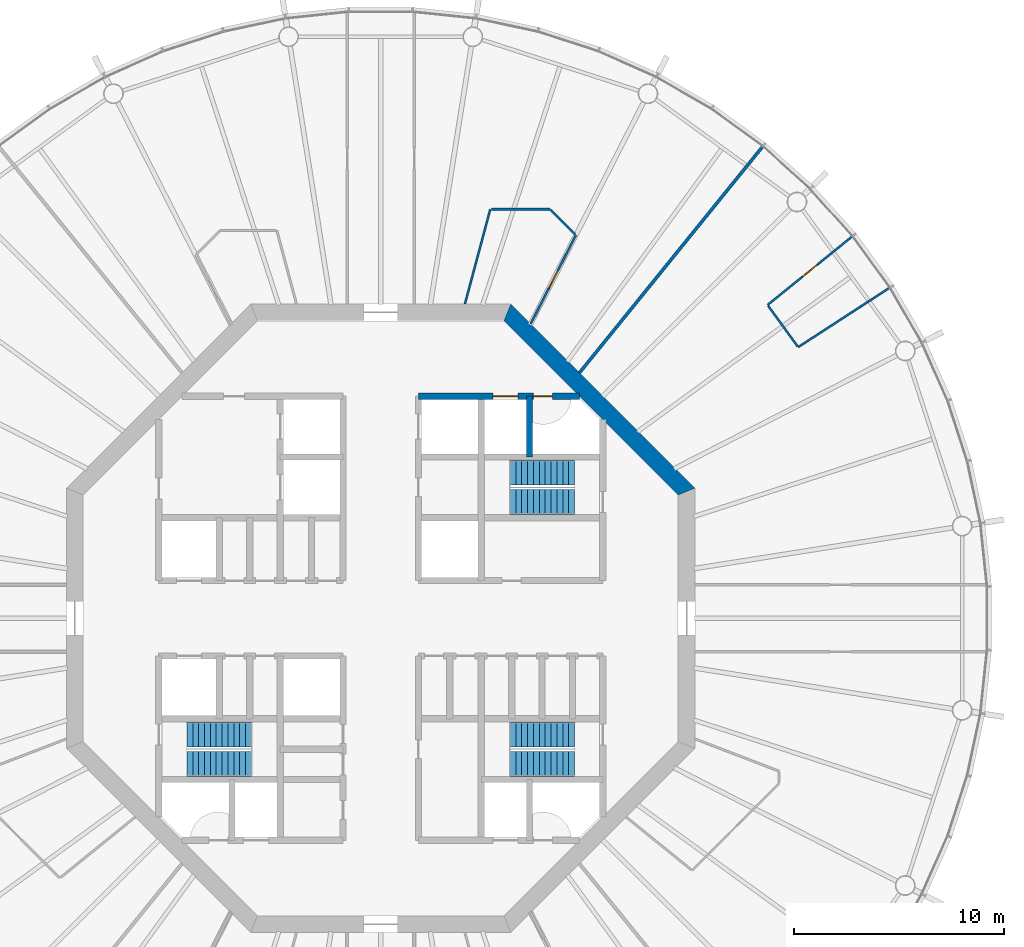
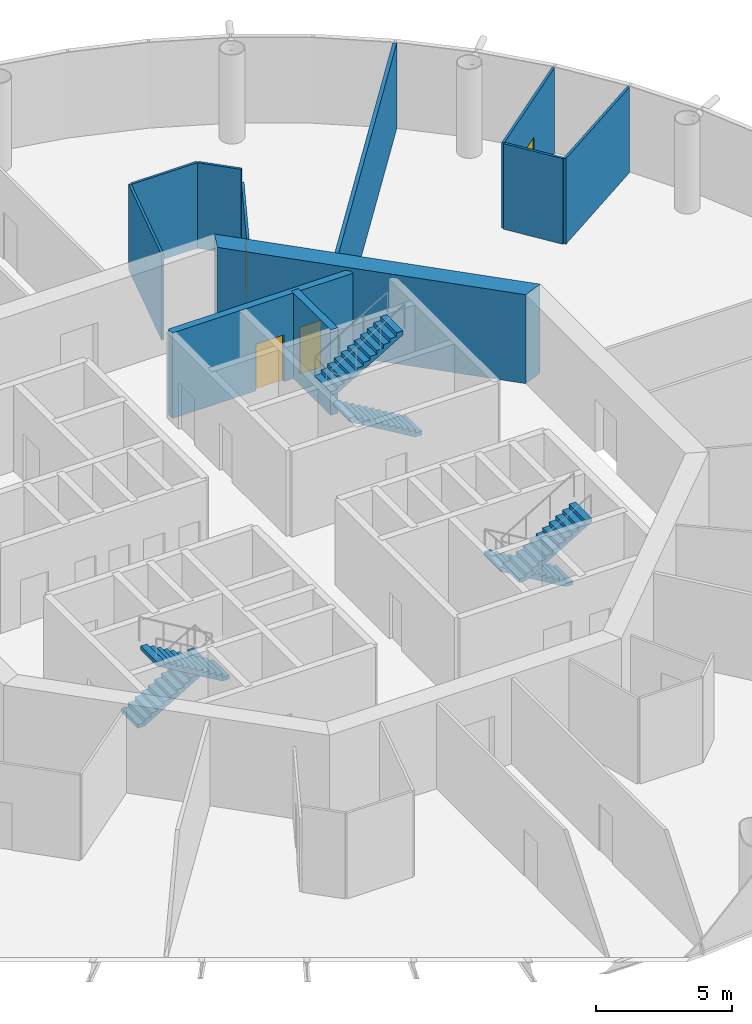
# One storey, part 6 of 13: 11 walls, 6 stair flights, 4 doors, 4 openings, 3 elements without a shape of their own.
"""IFC4 building model written with IfcOpenShell, lengths in metres."""

import ifcopenshell
import ifcopenshell.guid

model = None  # the IFC model being written
_history = None  # IfcOwnerHistory: only IFC2X3 demands one
_inside = {}  # id of a spatial element -> (the spatial element, [elements in it])
_under = {}  # id of a project, library or spatial element -> (it, [spatial elements below it])
_declared = {}  # id of a project -> (the project, [libraries it declares])
_typed = {}  # id of a type object -> (the type object, [elements of that type])
_made_of = {}  # id of a material, layer set ... -> (it, [elements and type objects made of it])


def new_model(schema):
    """Start an empty IFC model of exactly this schema.

    Asked for "IFC4X3", IfcOpenShell would pick the latest addendum, in which some entities
    have other attributes; the version numbers below select the first issue.
    IFC2X3 requires an IfcOwnerHistory on every rooted entity: one is made here for all.
    """
    global model, _history
    if schema == "IFC4X3":
        model = ifcopenshell.file(schema_version=(4, 3, 0, 0))
    else:
        model = ifcopenshell.file(schema=schema)
    _inside.clear()
    _under.clear()
    _declared.clear()
    _typed.clear()
    _made_of.clear()
    _history = None
    if model.schema == "IFC2X3":
        org = make("IfcOrganization", Name="unknown")
        user = make(
            "IfcPersonAndOrganization",
            ThePerson=make("IfcPerson", FamilyName="unknown"),
            TheOrganization=org,
        )
        app = make(
            "IfcApplication",
            ApplicationDeveloper=org,
            Version="unknown",
            ApplicationFullName="unknown",
            ApplicationIdentifier="unknown",
        )
        _history = make(
            "IfcOwnerHistory",
            OwningUser=user,
            OwningApplication=app,
            ChangeAction="ADDED",
            CreationDate=0,
        )
    return model


def make(cls, **values):
    """One entity of the class cls with the attributes given. An attribute that is None is left unset."""
    return model.create_entity(
        cls, **{name: value for name, value in values.items() if value is not None}
    )


def rooted(cls, **values):
    """An entity with a GlobalId (a new one), such as an element, a storey or a relation."""
    return make(cls, GlobalId=ifcopenshell.guid.new(), OwnerHistory=_history, **values)


def si_unit(unit_type, name, prefix=None):
    """IfcSIUnit, for example si_unit("LENGTHUNIT", "METRE", prefix="MILLI")."""
    return make("IfcSIUnit", UnitType=unit_type, Prefix=prefix, Name=name)


def assignment(units):
    """IfcUnitAssignment: the units of a project."""
    return None if units is None else make("IfcUnitAssignment", Units=units)


def point(xyz):
    """IfcCartesianPoint."""
    return None if xyz is None else make("IfcCartesianPoint", Coordinates=xyz)


def direction(xyz):
    """IfcDirection."""
    return None if xyz is None else make("IfcDirection", DirectionRatios=xyz)


def frame(location, z_axis=None, x_axis=None):
    """IfcAxis2Placement3D, a coordinate frame: its origin and axes. An axis left out is left unset."""
    return make(
        "IfcAxis2Placement3D",
        Location=point(location),
        Axis=direction(z_axis),
        RefDirection=direction(x_axis),
    )


def frame_2d(location, x_axis=None):
    """IfcAxis2Placement2D, a coordinate frame in the plane: its origin and x axis."""
    return make(
        "IfcAxis2Placement2D", Location=point(location), RefDirection=direction(x_axis)
    )


def origin():
    """The frame at (0, 0, 0) with its axes left unset."""
    return frame((0.0, 0.0, 0.0))


def place(relative_to, where):
    """IfcLocalPlacement: puts the frame where relative to a parent placement (None: the world)."""
    return make(
        "IfcLocalPlacement", PlacementRelTo=relative_to, RelativePlacement=where
    )


def context(
    kind, dimensions, precision=None, world=None, true_north=None, identifier=None
):
    """IfcGeometricRepresentationContext, for example the 3D "Model" context."""
    return make(
        "IfcGeometricRepresentationContext",
        ContextIdentifier=identifier,
        ContextType=kind,
        CoordinateSpaceDimension=dimensions,
        Precision=precision,
        WorldCoordinateSystem=world,
        TrueNorth=true_north,
    )


def subcontext(parent, identifier, kind, view, scale=None):
    """IfcGeometricRepresentationSubContext, for example "Body" below "Model"."""
    return make(
        "IfcGeometricRepresentationSubContext",
        ContextIdentifier=identifier,
        ContextType=kind,
        ParentContext=parent,
        TargetScale=scale,
        TargetView=view,
    )


def project(units=None, contexts=None):
    """IfcProject with its units and contexts."""
    return rooted(
        "IfcProject",
        Name="project",
        RepresentationContexts=contexts,
        UnitsInContext=assignment(units),
    )


def spatial(cls, under=None, at=None, **own):
    """A site, building, storey or space (cls), placed at a placement, below another one or the project."""
    s = rooted(cls, ObjectPlacement=at, **own)
    if under is not None:
        _under.setdefault(under.id(), (under, []))[1].append(s)
    return s


def polyline(points):
    """IfcPolyline through the points."""
    return make("IfcPolyline", Points=[point(p) for p in points])


def profile(cls, at=None, kind="AREA", **sizes):
    """A parametric profile (cls). Its sizes go by their IFC names, for example OverallWidth=200.0."""
    return make(cls, ProfileType=kind, Position=at, **sizes)


def rectangle(**sizes):
    """IfcRectangleProfileDef."""
    return profile("IfcRectangleProfileDef", **sizes)


def outline(outer, holes=None, kind="AREA"):
    """IfcArbitraryClosedProfileDef: a profile drawn as a closed curve; with holes, ...WithVoids."""
    if holes is None:
        return make("IfcArbitraryClosedProfileDef", ProfileType=kind, OuterCurve=outer)
    return make(
        "IfcArbitraryProfileDefWithVoids",
        ProfileType=kind,
        OuterCurve=outer,
        InnerCurves=holes,
    )


def extrude(swept, where, along, depth):
    """IfcExtrudedAreaSolid: the profile swept, set in the frame where, extruded along a direction by depth."""
    return make(
        "IfcExtrudedAreaSolid",
        SweptArea=swept,
        Position=where,
        ExtrudedDirection=direction(along),
        Depth=depth,
    )


def shape(context_of_items, identifier, shape_type, items):
    """IfcShapeRepresentation: the items that make up one representation, for example the "Body"."""
    return make(
        "IfcShapeRepresentation",
        ContextOfItems=context_of_items,
        RepresentationIdentifier=identifier,
        RepresentationType=shape_type,
        Items=items,
    )


def material(Name=None, Category=None):
    """IfcMaterial."""
    return make("IfcMaterial", Name=Name, Category=Category)


def layer(
    of_material, thickness, ventilated=None, Name=None, Category=None, Priority=None
):
    """IfcMaterialLayer: one layer of a wall or slab, of a material (None: an air gap)."""
    return make(
        "IfcMaterialLayer",
        Material=of_material,
        LayerThickness=thickness,
        IsVentilated=ventilated,
        Name=Name,
        Category=Category,
        Priority=Priority,
    )


def layer_set(layers, Name=None):
    """IfcMaterialLayerSet."""
    return make("IfcMaterialLayerSet", MaterialLayers=layers, LayerSetName=Name)


def made_of(thing, what):
    """Note that an element or type object is made of a material, layer set ...; save() writes the relation."""
    if what is not None:
        _made_of.setdefault(what.id(), (what, []))[1].append(thing)
    return thing


def type_object(cls, material=None, **own):
    """A type object (cls), such as IfcWallType, which elements share."""
    return made_of(rooted(cls, **own), material)


def element(
    cls,
    number,
    at=None,
    inside=None,
    cuts=None,
    type_object=None,
    material=None,
    context=None,
    identifier="Body",
    shape_type=None,
    held_by="IfcProductDefinitionShape",
    body=None,
    shapes=None,
    **own,
):
    """One element of the class cls, such as IfcWall. Its Tag is "e" and its number.

    at: its placement. inside: the storey or other place that contains it. cuts: it is an
    opening in that element (IfcRelVoidsElement). A single representation is given by context,
    identifier, shape_type and body (its items); several are given by shapes. held_by: the class
    of the entity that holds the representations. save() writes the other relations.
    """
    e = rooted(cls, Tag="e%d" % number, ObjectPlacement=at, **own)
    if body is not None:
        shapes = [shape(context, identifier, shape_type, body)]
    if shapes is not None:
        e.Representation = make(held_by, Representations=shapes)
    if inside is not None:
        _inside.setdefault(inside.id(), (inside, []))[1].append(e)
    if cuts is not None:
        rooted(
            "IfcRelVoidsElement", RelatingBuildingElement=cuts, RelatedOpeningElement=e
        )
    if type_object is not None:
        _typed.setdefault(type_object.id(), (type_object, []))[1].append(e)
    return made_of(e, material)


def fill(opening, filler):
    """IfcRelFillsElement: the door or window that sits in an opening."""
    return rooted(
        "IfcRelFillsElement",
        RelatingOpeningElement=opening,
        RelatedBuildingElement=filler,
    )


def aggregate(whole, parts):
    """IfcRelAggregates: a whole, such as a stair, and the parts it consists of."""
    return rooted("IfcRelAggregates", RelatingObject=whole, RelatedObjects=parts)


def save(model, path):
    """Write the relations noted so far, then the file.

    IfcRelAggregates (storeys below a building ...), IfcRelContainedInSpatialStructure (elements
    in a storey), IfcRelDefinesByType, IfcRelAssociatesMaterial and IfcRelDeclares: one each for
    every whole, place, type object, material and project.
    """
    for whole, parts in _under.values():
        aggregate(whole, parts)
    for where, things in _inside.values():
        rooted(
            "IfcRelContainedInSpatialStructure",
            RelatedElements=things,
            RelatingStructure=where,
        )
    for kind, things in _typed.values():
        rooted("IfcRelDefinesByType", RelatedObjects=things, RelatingType=kind)
    for what, things in _made_of.values():
        rooted("IfcRelAssociatesMaterial", RelatedObjects=things, RelatingMaterial=what)
    for by, libraries in _declared.values():
        rooted("IfcRelDeclares", RelatingContext=by, RelatedDefinitions=libraries)
    model.write(path)


model = new_model("IFC4")

# Units and contexts
model_context = context("Model", 3, precision=1e-05, world=origin(), true_north=direction((0.0, 1.0)))
body_context = subcontext(model_context, "Body", "Model", "MODEL_VIEW")
ifc_project = project(units=[si_unit("LENGTHUNIT", "METRE"), si_unit("AREAUNIT", "SQUARE_METRE"), si_unit("VOLUMEUNIT", "CUBIC_METRE"), si_unit("PLANEANGLEUNIT", "RADIAN"), si_unit("MASSUNIT", "GRAM", prefix="KILO")], contexts=[model_context])

# Site, building, storey
site_placement = place(None, origin())
site = spatial("IfcSite", under=ifc_project, at=site_placement, CompositionType="ELEMENT")
building_placement = place(site_placement, origin())
building = spatial("IfcBuilding", under=site, at=building_placement, Name="Entoto Ring Tower", CompositionType="ELEMENT")
storey_placement = place(building_placement, frame((0.0, 0.0, 290.0)))
storey = spatial("IfcBuildingStorey", under=building, at=storey_placement, Name="L66", CompositionType="ELEMENT", Elevation=290.0)

# Wall
ifc_material_1 = material(Name="Concrete C40/50", Category="concrete")
ifc_layer_1 = layer(ifc_material_1, 0.300048828125)
ifc_layer_set_1 = layer_set([ifc_layer_1], Name="Concrete C40/50")
wall_type_1 = type_object("IfcWallType", Name="Core enclosure wall 300 mm reinforced concrete", PredefinedType="SOLIDWALL", material=ifc_layer_set_1)
wall_1_placement = place(storey_placement, frame((97.10009765625, 87.699951171875, 0.0), z_axis=(0.0, 0.0, 1.0), x_axis=(0.0, 1.0, 0.0)))
element("IfcWall", 1, at=wall_1_placement, inside=storey, type_object=wall_type_1, Name="wall-L66-006", PredefinedType="SOLIDWALL", context=body_context, shape_type="SweptSolid", body=[
    extrude(rectangle(XDim=2.900146484375, YDim=0.300048828125, at=frame_2d((1.4501953125, 0.0))), origin(), (0.0, 0.0, 1.0), 3.85009765625),
])

# Wall, openings, doors
wall_2_placement = place(storey_placement, frame((91.800048828125, 90.60009765625, 0.0), z_axis=(0.0, 0.0, 1.0), x_axis=(1.0, 0.0, 0.0)))
wall_2 = element("IfcWall", 2, at=wall_2_placement, inside=storey, type_object=wall_type_1, Name="wall-L66-041", PredefinedType="SOLIDWALL", context=body_context, shape_type="SweptSolid", body=[
    extrude(rectangle(XDim=7.681640625, YDim=0.300048828125, at=frame_2d((3.8408203125, 0.0))), origin(), (0.0, 0.0, 1.0), 3.85009765625),
])
opening_1_placement = place(wall_2_placement, frame((3.550048828125, 0.0, 0.0)))
opening_1 = element("IfcOpeningElement", 3, at=opening_1_placement, cuts=wall_2, Name="Opening LD", PredefinedType="OPENING", context=body_context, shape_type="SweptSolid", body=[
    extrude(rectangle(XDim=1.199951171875, YDim=2.10009765625, at=frame_2d((0.60009765625, 1.050048828125))), frame((0.0, 0.16015625, 0.0), z_axis=(0.0, -1.0, 0.0), x_axis=(1.0, 0.0, 0.0)), (0.0, 0.0, 1.0), 0.320068359375),
])
opening_2_placement = place(wall_2_placement, frame((5.5, 0.0, 0.0)))
opening_2 = element("IfcOpeningElement", 4, at=opening_2_placement, cuts=wall_2, Name="Opening K-32", PredefinedType="OPENING", context=body_context, shape_type="SweptSolid", body=[
    extrude(rectangle(XDim=0.89990234375, YDim=2.10009765625, at=frame_2d((0.449951171875, 1.050048828125))), frame((0.0, 0.16015625, 0.0), z_axis=(0.0, -1.0, 0.0), x_axis=(1.0, 0.0, 0.0)), (0.0, 0.0, 1.0), 0.320068359375),
])
ifc_material_2 = material(Name="Steel and glass door leaf", Category="steel")
ifc_layer_2 = layer(ifc_material_2, 0.050048828125)
ifc_layer_set_2 = layer_set([ifc_layer_2], Name="Steel and glass door leaf")
door_type_1 = type_object("IfcDoorType", Name="Landing door 1200 x 2100 sliding", OperationType="DOUBLE_DOOR_SLIDING", PredefinedType="DOOR", material=ifc_layer_set_2)
door_1_placement = place(opening_1_placement, origin())
door_1 = element("IfcDoor", 5, at=door_1_placement, inside=storey, type_object=door_type_1, Name="Landing door LB1-HR", OperationType="SLIDING_TO_RIGHT", OverallHeight=2.10009765625, OverallWidth=1.199951171875, PredefinedType="DOOR", context=body_context, shape_type="SweptSolid", body=[
    extrude(rectangle(XDim=1.199951171875, YDim=2.10009765625, at=frame_2d((0.60009765625, 1.050048828125))), frame((0.0, 0.02490234375, 0.0), z_axis=(0.0, -1.0, 0.0), x_axis=(1.0, 0.0, 0.0)), (0.0, 0.0, 1.0), 0.050048828125),
])
fill(opening_1, door_1)
ifc_material_3 = material(Name="Steel door leaf, fire rated", Category="steel")
ifc_layer_3 = layer(ifc_material_3, 0.050048828125)
ifc_layer_set_3 = layer_set([ifc_layer_3], Name="Steel door leaf, fire rated")
door_type_2 = type_object("IfcDoorType", Name="Riser door FD60 900 x 2100 single leaf", OperationType="NOTDEFINED", PredefinedType="DOOR", material=ifc_layer_set_3)
door_2_placement = place(opening_2_placement, frame((0.89990234375, 0.0, 0.0), z_axis=(0.0, 0.0, 1.0), x_axis=(-1.0, 0.0, 0.0)))
door_2 = element("IfcDoor", 6, at=door_2_placement, inside=storey, type_object=door_type_2, Name="Door K-32", OperationType="SINGLE_SWING_RIGHT", OverallHeight=2.10009765625, OverallWidth=0.89990234375, PredefinedType="DOOR", context=body_context, shape_type="SweptSolid", body=[
    extrude(rectangle(XDim=0.89990234375, YDim=2.10009765625, at=frame_2d((0.449951171875, 1.050048828125))), frame((0.0, 0.02490234375, 0.0), z_axis=(0.0, -1.0, 0.0), x_axis=(1.0, 0.0, 0.0)), (0.0, 0.0, 1.0), 0.050048828125),
])
fill(opening_2, door_2)

# Wall
ifc_material_4 = material(Name="Concrete C40/50", Category="concrete")
ifc_layer_4 = layer(ifc_material_4, 0.800048828125)
ifc_layer_set_4 = layer_set([ifc_layer_4], Name="Concrete C40/50")
wall_type_2 = type_object("IfcWallType", Name="Core shear wall 800 mm reinforced concrete C40/50", PredefinedType="SHEAR", material=ifc_layer_set_4)
wall_3_placement = place(storey_placement, frame((104.60009765625, 86.047607421875, 0.0), z_axis=(0.0, 0.0, 1.0), x_axis=(-0.707106781187, 0.707106781187, 0.0)))
element("IfcWall", 7, at=wall_3_placement, inside=storey, type_object=wall_type_2, Name="wall-L66-core-1", PredefinedType="SHEAR", context=body_context, shape_type="SweptSolid", body=[
    extrude(outline(polyline([(-0.165771484375, -0.39990234375), (12.2607421875, -0.39990234375), (11.92919921875, 0.39990234375), (0.165771484375, 0.39990234375), (-0.165771484375, -0.39990234375)])), origin(), (0.0, 0.0, 1.0), 4.0),
])

# Wall, opening, door
ifc_material_5 = material(Name="Plasterboard on steel studs", Category="steel")
ifc_layer_5 = layer(ifc_material_5, 0.10009765625)
ifc_layer_set_5 = layer_set([ifc_layer_5], Name="Plasterboard on steel studs")
wall_type_3 = type_object("IfcWallType", Name="Partition 100 mm plasterboard on steel studs", PredefinedType="PARTITIONING", material=ifc_layer_set_5)
wall_4_placement = place(storey_placement, frame((108.465087890625, 94.95263671875, 0.0), z_axis=(0.0, 0.0, 1.0), x_axis=(0.777139487063, 0.629328386176, 0.0)))
wall_4 = element("IfcWall", 8, at=wall_4_placement, inside=storey, type_object=wall_type_3, Name="partition-L66-015", PredefinedType="PARTITIONING", context=body_context, shape_type="SweptSolid", body=[
    extrude(rectangle(XDim=5.1796875, YDim=0.10009765625, at=frame_2d((2.58984375, 0.0))), origin(), (0.0, 0.0, 1.0), 3.85009765625),
])
opening_3_placement = place(wall_4_placement, frame((2.139892578125, 0.0, 0.0)))
opening_3 = element("IfcOpeningElement", 9, at=opening_3_placement, cuts=wall_4, Name="Opening A29-D02", PredefinedType="OPENING", context=body_context, shape_type="SweptSolid", body=[
    extrude(rectangle(XDim=0.89990234375, YDim=2.10009765625, at=frame_2d((0.449951171875, 1.050048828125))), frame((0.0, 0.06005859375, 0.0), z_axis=(0.0, -1.0, 0.0), x_axis=(1.0, 0.0, 0.0)), (0.0, 0.0, 1.0), 0.1201171875),
])
ifc_material_6 = material(Name="Veneered timber door leaf in timber frame", Category="wood")
door_type_3 = type_object("IfcDoorType", Name="Door 900 x 2100 single leaf timber veneer", OperationType="NOTDEFINED", PredefinedType="DOOR", material=ifc_material_6)
door_3_placement = place(opening_3_placement, frame((0.89990234375, 0.0, 0.0), z_axis=(0.0, 0.0, 1.0), x_axis=(-1.0, 0.0, 0.0)))
door_3 = element("IfcDoor", 10, at=door_3_placement, inside=storey, type_object=door_type_3, Name="Door A29-D02", OperationType="SINGLE_SWING_LEFT", OverallHeight=2.10009765625, OverallWidth=0.89990234375, PredefinedType="DOOR", context=body_context, shape_type="SweptSolid", body=[
    extrude(rectangle(XDim=0.89990234375, YDim=2.10009765625, at=frame_2d((0.449951171875, 1.050048828125))), frame((0.0, 0.02490234375, 0.0), z_axis=(0.0, -1.0, 0.0), x_axis=(1.0, 0.0, 0.0)), (0.0, 0.0, 1.0), 0.050048828125),
])
fill(opening_3, door_3)

# Walls
wall_5_placement = place(storey_placement, frame((109.9267578125, 92.940673828125, 0.0), z_axis=(0.0, 0.0, 1.0), x_axis=(0.838661067594, 0.544653663994, 0.0)))
element("IfcWall", 11, at=wall_5_placement, inside=storey, type_object=wall_type_3, Name="partition-L66-016", PredefinedType="PARTITIONING", context=body_context, shape_type="SweptSolid", body=[
    extrude(rectangle(XDim=5.179931640625, YDim=0.10009765625, at=frame_2d((2.58984375, 0.0))), origin(), (0.0, 0.0, 1.0), 3.85009765625),
])
wall_6_placement = place(storey_placement, frame((94.019287109375, 95.0, 0.0), z_axis=(0.0, 0.0, 1.0), x_axis=(0.258828228202, 0.965923365638, 0.0)))
element("IfcWall", 12, at=wall_6_placement, inside=storey, type_object=wall_type_3, Name="partition-L66-019", PredefinedType="PARTITIONING", context=body_context, shape_type="SweptSolid", body=[
    extrude(rectangle(XDim=4.679443359375, YDim=0.10009765625, at=frame_2d((2.33984375, 0.0))), origin(), (0.0, 0.0, 1.0), 3.85009765625),
])
wall_7_placement = place(storey_placement, frame((95.278564453125, 99.52001953125, 0.0), z_axis=(0.0, 0.0, 1.0), x_axis=(1.0, 0.0, 0.0)))
element("IfcWall", 13, at=wall_7_placement, inside=storey, type_object=wall_type_3, Name="partition-L66-031", PredefinedType="PARTITIONING", context=body_context, shape_type="SweptSolid", body=[
    extrude(rectangle(XDim=2.806884765625, YDim=0.10009765625, at=frame_2d((1.4033203125, 0.0))), origin(), (0.0, 0.0, 1.0), 3.85009765625),
])
wall_8_placement = place(storey_placement, frame((109.8974609375, 92.98095703125, 0.0), z_axis=(0.0, 0.0, 1.0), x_axis=(-0.587739872893, 0.809049962494, 0.0)))
element("IfcWall", 14, at=wall_8_placement, inside=storey, type_object=wall_type_3, Name="partition-L66-036", PredefinedType="PARTITIONING", context=body_context, shape_type="SweptSolid", body=[
    extrude(rectangle(XDim=2.38720703125, YDim=0.10009765625, at=frame_2d((1.193603515625, 0.0))), origin(), (0.0, 0.0, 1.0), 3.85009765625),
])
wall_9_placement = place(storey_placement, frame((99.284423828125, 98.321044921875, 0.0), z_axis=(0.0, 0.0, 1.0), x_axis=(-0.707106781187, 0.707106781187, 0.0)))
element("IfcWall", 15, at=wall_9_placement, inside=storey, type_object=wall_type_3, Name="partition-L66-037", PredefinedType="PARTITIONING", context=body_context, shape_type="SweptSolid", body=[
    extrude(rectangle(XDim=1.660400390625, YDim=0.10009765625, at=frame_2d((0.830078125, 0.0))), origin(), (0.0, 0.0, 1.0), 3.85009765625),
])

# Wall, opening, door
ifc_material_7 = material(Name="Plasterboard on steel studs", Category="steel")
ifc_layer_6 = layer(ifc_material_7, 0.10009765625)
ifc_layer_set_6 = layer_set([ifc_layer_6], Name="Plasterboard on steel studs")
wall_type_4 = type_object("IfcWallType", Name="Partition 100 mm plasterboard on steel studs, 3250 mm high", PredefinedType="PARTITIONING", material=ifc_layer_set_6)
wall_10_placement = place(storey_placement, frame((97.160400390625, 94.052978515625, 0.0), z_axis=(0.0, 0.0, 1.0), x_axis=(0.453961179958, 0.891021462756, 0.0)))
wall_10 = element("IfcWall", 16, at=wall_10_placement, inside=storey, type_object=wall_type_4, Name="partition-L66-018", PredefinedType="PARTITIONING", context=body_context, shape_type="SweptSolid", body=[
    extrude(rectangle(XDim=4.75244140625, YDim=0.10009765625, at=frame_2d((2.376220703125, 0.0))), origin(), (0.0, 0.0, 1.0), 3.25),
])
opening_4_placement = place(wall_10_placement, frame((1.92626953125, 0.0, 0.0)))
opening_4 = element("IfcOpeningElement", 17, at=opening_4_placement, cuts=wall_10, Name="Opening A29-D04", PredefinedType="OPENING", context=body_context, shape_type="SweptSolid", body=[
    extrude(rectangle(XDim=0.89990234375, YDim=2.10009765625, at=frame_2d((0.449951171875, 1.050048828125))), frame((0.0, 0.06005859375, 0.0), z_axis=(0.0, -1.0, 0.0), x_axis=(1.0, 0.0, 0.0)), (0.0, 0.0, 1.0), 0.1201171875),
])
door_4_placement = place(opening_4_placement, origin())
door_4 = element("IfcDoor", 18, at=door_4_placement, inside=storey, type_object=door_type_3, Name="Door A29-D04", OperationType="SINGLE_SWING_LEFT", OverallHeight=2.10009765625, OverallWidth=0.89990234375, PredefinedType="DOOR", context=body_context, shape_type="SweptSolid", body=[
    extrude(rectangle(XDim=0.89990234375, YDim=2.10009765625, at=frame_2d((0.449951171875, 1.050048828125))), frame((0.0, 0.02490234375, 0.0), z_axis=(0.0, -1.0, 0.0), x_axis=(1.0, 0.0, 0.0)), (0.0, 0.0, 1.0), 0.050048828125),
])
fill(opening_4, door_4)

# Wall
ifc_material_8 = material(Name="Fire-resisting acoustic plasterboard on steel studs", Category="steel")
ifc_layer_7 = layer(ifc_material_8, 0.14990234375)
ifc_layer_set_7 = layer_set([ifc_layer_7], Name="Fire-resisting acoustic plasterboard on steel studs")
wall_type_5 = type_object("IfcWallType", Name="Party wall 150 mm one-hour acoustic plasterboard on steel studs", PredefinedType="PARTITIONING", material=ifc_layer_set_7)
wall_11_placement = place(storey_placement, frame((99.49169921875, 91.721435546875, 0.0), z_axis=(0.0, 0.0, 1.0), x_axis=(0.629324927109, 0.777142288207, 0.0)))
element("IfcWall", 19, at=wall_11_placement, inside=storey, type_object=wall_type_5, Name="partition-L66-011", PredefinedType="PARTITIONING", context=body_context, shape_type="SweptSolid", body=[
    extrude(rectangle(XDim=13.857177734375, YDim=0.14990234375, at=frame_2d((6.9287109375, 0.0))), origin(), (0.0, 0.0, 1.0), 3.85009765625),
])

# Stair, stair flights
ifc_material_9 = material(Name="Concrete C40/50", Category="concrete")
stair_type = type_object("IfcStairType", Name="Exit stair 1200 mm dog-leg reinforced concrete", PredefinedType="HALF_TURN_STAIR", material=ifc_material_9)
stair_1_placement = place(storey_placement, origin())
stair_1 = element("IfcStair", 20, at=stair_1_placement, inside=storey, type_object=stair_type, Name="Exit stair 1", PredefinedType="HALF_TURN_STAIR")
ifc_material_10 = material(Name="Concrete C40/50", Category="concrete")
stair_flight_type = type_object("IfcStairFlightType", Name="Stair flight 1200 mm reinforced concrete", PredefinedType="STRAIGHT", material=ifc_material_10)
stair_flight_1_placement = place(storey_placement, frame((99.25, 85.550048828125, 0.0), z_axis=(0.0, 0.0, 1.0), x_axis=(-1.0, 0.0, 0.0)))
stair_flight_1 = element("IfcStairFlight", 21, at=stair_flight_1_placement, type_object=stair_flight_type, Name="ST1 flight 1", NumberOfRisers=12, NumberOfTreads=11, PredefinedType="STRAIGHT", RiserHeight=0.166666667, TreadLength=0.28, context=body_context, shape_type="SweptSolid", body=[
    extrude(outline(polyline([(0.0, 0.0), (0.0, 0.166748046875), (0.280029296875, 0.166748046875), (0.280029296875, 0.333251953125), (0.56005859375, 0.333251953125), (0.56005859375, 0.5), (0.840087890625, 0.5), (0.840087890625, 0.666748046875), (1.1201171875, 0.666748046875), (1.1201171875, 0.833251953125), (1.39990234375, 0.833251953125), (1.39990234375, 1.0), (1.679931640625, 1.0), (1.679931640625, 1.166748046875), (1.9599609375, 1.166748046875), (1.9599609375, 1.333251953125), (2.239990234375, 1.333251953125), (2.239990234375, 1.5), (2.52001953125, 1.5), (2.52001953125, 1.666748046875), (2.800048828125, 1.666748046875), (2.800048828125, 1.833251953125), (3.080078125, 1.833251953125), (3.080078125, 2.0), (3.080078125, 1.658935546875), (0.29296875, 0.0), (0.0, 0.0)])), frame((0.0, 0.60009765625, 0.0), z_axis=(0.0, -1.0, 0.0), x_axis=(1.0, 0.0, 0.0)), (0.0, 0.0, 1.0), 1.199951171875),
])
stair_flight_2_placement = place(storey_placement, frame((96.169921875, 86.949951171875, 2.0), z_axis=(0.0, 0.0, 1.0), x_axis=(1.0, 0.0, 0.0)))
stair_flight_2 = element("IfcStairFlight", 22, at=stair_flight_2_placement, type_object=stair_flight_type, Name="ST1 flight 2", NumberOfRisers=12, NumberOfTreads=11, PredefinedType="STRAIGHT", RiserHeight=0.166666667, TreadLength=0.28, context=body_context, shape_type="SweptSolid", body=[
    extrude(outline(polyline([(0.0, 0.0), (0.0, 0.166748046875), (0.280029296875, 0.166748046875), (0.280029296875, 0.333251953125), (0.56005859375, 0.333251953125), (0.56005859375, 0.5), (0.840087890625, 0.5), (0.840087890625, 0.666748046875), (1.1201171875, 0.666748046875), (1.1201171875, 0.833251953125), (1.39990234375, 0.833251953125), (1.39990234375, 1.0), (1.679931640625, 1.0), (1.679931640625, 1.166748046875), (1.9599609375, 1.166748046875), (1.9599609375, 1.333251953125), (2.239990234375, 1.333251953125), (2.239990234375, 1.5), (2.52001953125, 1.5), (2.52001953125, 1.666748046875), (2.800048828125, 1.666748046875), (2.800048828125, 1.833251953125), (3.080078125, 1.833251953125), (3.080078125, 2.0), (3.080078125, 1.658935546875), (0.29296875, 0.0), (0.0, 0.0)])), frame((0.0, 0.60009765625, 0.0), z_axis=(0.0, -1.0, 0.0), x_axis=(1.0, 0.0, 0.0)), (0.0, 0.0, 1.0), 1.199951171875),
])
aggregate(stair_1, [stair_flight_1, stair_flight_2])

stair_2_placement = place(storey_placement, origin())
stair_2 = element("IfcStair", 23, at=stair_2_placement, inside=storey, type_object=stair_type, Name="Exit stair 2", PredefinedType="HALF_TURN_STAIR")
stair_flight_3_placement = place(storey_placement, frame((80.75, 74.449951171875, 0.0), z_axis=(0.0, 0.0, 1.0), x_axis=(1.0, 0.0, 0.0)))
stair_flight_3 = element("IfcStairFlight", 24, at=stair_flight_3_placement, type_object=stair_flight_type, Name="ST2 flight 1", NumberOfRisers=12, NumberOfTreads=11, PredefinedType="STRAIGHT", RiserHeight=0.166666667, TreadLength=0.28, context=body_context, shape_type="SweptSolid", body=[
    extrude(outline(polyline([(0.0, 0.0), (0.0, 0.166748046875), (0.280029296875, 0.166748046875), (0.280029296875, 0.333251953125), (0.56005859375, 0.333251953125), (0.56005859375, 0.5), (0.840087890625, 0.5), (0.840087890625, 0.666748046875), (1.1201171875, 0.666748046875), (1.1201171875, 0.833251953125), (1.39990234375, 0.833251953125), (1.39990234375, 1.0), (1.679931640625, 1.0), (1.679931640625, 1.166748046875), (1.9599609375, 1.166748046875), (1.9599609375, 1.333251953125), (2.239990234375, 1.333251953125), (2.239990234375, 1.5), (2.52001953125, 1.5), (2.52001953125, 1.666748046875), (2.800048828125, 1.666748046875), (2.800048828125, 1.833251953125), (3.080078125, 1.833251953125), (3.080078125, 2.0), (3.080078125, 1.658935546875), (0.29296875, 0.0), (0.0, 0.0)])), frame((0.0, 0.60009765625, 0.0), z_axis=(0.0, -1.0, 0.0), x_axis=(1.0, 0.0, 0.0)), (0.0, 0.0, 1.0), 1.199951171875),
])
stair_flight_4_placement = place(storey_placement, frame((83.830078125, 73.050048828125, 2.0), z_axis=(0.0, 0.0, 1.0), x_axis=(-1.0, 0.0, 0.0)))
stair_flight_4 = element("IfcStairFlight", 25, at=stair_flight_4_placement, type_object=stair_flight_type, Name="ST2 flight 2", NumberOfRisers=12, NumberOfTreads=11, PredefinedType="STRAIGHT", RiserHeight=0.166666667, TreadLength=0.28, context=body_context, shape_type="SweptSolid", body=[
    extrude(outline(polyline([(0.0, 0.0), (0.0, 0.166748046875), (0.280029296875, 0.166748046875), (0.280029296875, 0.333251953125), (0.56005859375, 0.333251953125), (0.56005859375, 0.5), (0.840087890625, 0.5), (0.840087890625, 0.666748046875), (1.1201171875, 0.666748046875), (1.1201171875, 0.833251953125), (1.39990234375, 0.833251953125), (1.39990234375, 1.0), (1.679931640625, 1.0), (1.679931640625, 1.166748046875), (1.9599609375, 1.166748046875), (1.9599609375, 1.333251953125), (2.239990234375, 1.333251953125), (2.239990234375, 1.5), (2.52001953125, 1.5), (2.52001953125, 1.666748046875), (2.800048828125, 1.666748046875), (2.800048828125, 1.833251953125), (3.080078125, 1.833251953125), (3.080078125, 2.0), (3.080078125, 1.658935546875), (0.29296875, 0.0), (0.0, 0.0)])), frame((0.0, 0.60009765625, 0.0), z_axis=(0.0, -1.0, 0.0), x_axis=(1.0, 0.0, 0.0)), (0.0, 0.0, 1.0), 1.199951171875),
])
aggregate(stair_2, [stair_flight_3, stair_flight_4])

stair_3_placement = place(storey_placement, origin())
stair_3 = element("IfcStair", 26, at=stair_3_placement, inside=storey, type_object=stair_type, Name="Exit stair 3", PredefinedType="HALF_TURN_STAIR")
stair_flight_5_placement = place(storey_placement, frame((99.25, 74.449951171875, 0.0), z_axis=(0.0, 0.0, 1.0), x_axis=(-1.0, 0.0, 0.0)))
stair_flight_5 = element("IfcStairFlight", 27, at=stair_flight_5_placement, type_object=stair_flight_type, Name="ST3 flight 1", NumberOfRisers=12, NumberOfTreads=11, PredefinedType="STRAIGHT", RiserHeight=0.166666667, TreadLength=0.28, context=body_context, shape_type="SweptSolid", body=[
    extrude(outline(polyline([(0.0, 0.0), (0.0, 0.166748046875), (0.280029296875, 0.166748046875), (0.280029296875, 0.333251953125), (0.56005859375, 0.333251953125), (0.56005859375, 0.5), (0.840087890625, 0.5), (0.840087890625, 0.666748046875), (1.1201171875, 0.666748046875), (1.1201171875, 0.833251953125), (1.39990234375, 0.833251953125), (1.39990234375, 1.0), (1.679931640625, 1.0), (1.679931640625, 1.166748046875), (1.9599609375, 1.166748046875), (1.9599609375, 1.333251953125), (2.239990234375, 1.333251953125), (2.239990234375, 1.5), (2.52001953125, 1.5), (2.52001953125, 1.666748046875), (2.800048828125, 1.666748046875), (2.800048828125, 1.833251953125), (3.080078125, 1.833251953125), (3.080078125, 2.0), (3.080078125, 1.658935546875), (0.29296875, 0.0), (0.0, 0.0)])), frame((0.0, 0.60009765625, 0.0), z_axis=(0.0, -1.0, 0.0), x_axis=(1.0, 0.0, 0.0)), (0.0, 0.0, 1.0), 1.199951171875),
])
stair_flight_6_placement = place(storey_placement, frame((96.169921875, 73.050048828125, 2.0), z_axis=(0.0, 0.0, 1.0), x_axis=(1.0, 0.0, 0.0)))
stair_flight_6 = element("IfcStairFlight", 28, at=stair_flight_6_placement, type_object=stair_flight_type, Name="ST3 flight 2", NumberOfRisers=12, NumberOfTreads=11, PredefinedType="STRAIGHT", RiserHeight=0.166666667, TreadLength=0.28, context=body_context, shape_type="SweptSolid", body=[
    extrude(outline(polyline([(0.0, 0.0), (0.0, 0.166748046875), (0.280029296875, 0.166748046875), (0.280029296875, 0.333251953125), (0.56005859375, 0.333251953125), (0.56005859375, 0.5), (0.840087890625, 0.5), (0.840087890625, 0.666748046875), (1.1201171875, 0.666748046875), (1.1201171875, 0.833251953125), (1.39990234375, 0.833251953125), (1.39990234375, 1.0), (1.679931640625, 1.0), (1.679931640625, 1.166748046875), (1.9599609375, 1.166748046875), (1.9599609375, 1.333251953125), (2.239990234375, 1.333251953125), (2.239990234375, 1.5), (2.52001953125, 1.5), (2.52001953125, 1.666748046875), (2.800048828125, 1.666748046875), (2.800048828125, 1.833251953125), (3.080078125, 1.833251953125), (3.080078125, 2.0), (3.080078125, 1.658935546875), (0.29296875, 0.0), (0.0, 0.0)])), frame((0.0, 0.60009765625, 0.0), z_axis=(0.0, -1.0, 0.0), x_axis=(1.0, 0.0, 0.0)), (0.0, 0.0, 1.0), 1.199951171875),
])
aggregate(stair_3, [stair_flight_5, stair_flight_6])

save(model, "model.ifc")
